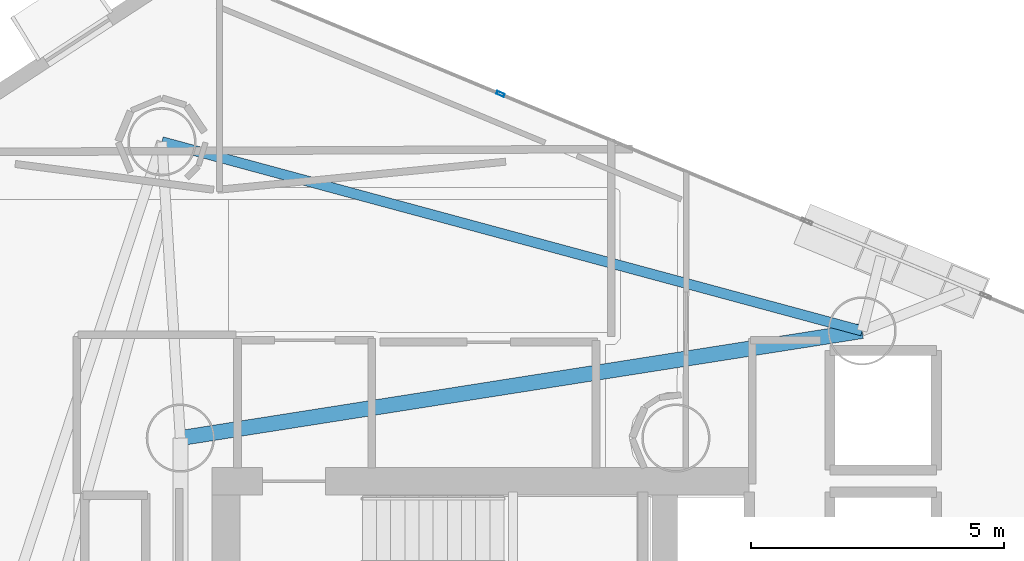
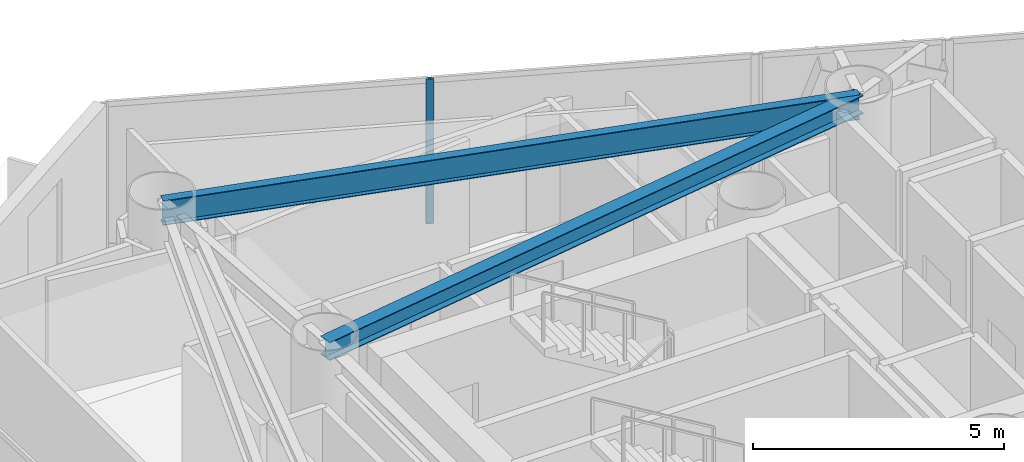
# One storey, part 12 of 22: 2 beams, 1 member, 1 element without a shape of its own.
"""IFC4 building model written with IfcOpenShell, lengths in metres."""

from ifc_helpers import new_model, si_unit, direction, frame, origin, origin_2d, place, context, subcontext, project, spatial, hollow_rectangle, i_section, extrude, material, layer, layer_set, material_profile, profile_set, type_object, element, aggregate, save


model = new_model("IFC4")

# Units and contexts
model_context = context("Model", 3, precision=1e-05, world=origin(), true_north=direction((0.0, 1.0)))
body_context = subcontext(model_context, "Body", "Model", "MODEL_VIEW")
ifc_project = project(units=[si_unit("LENGTHUNIT", "METRE"), si_unit("AREAUNIT", "SQUARE_METRE"), si_unit("VOLUMEUNIT", "CUBIC_METRE"), si_unit("PLANEANGLEUNIT", "RADIAN"), si_unit("MASSUNIT", "GRAM", prefix="KILO")], contexts=[model_context])

# Site, building, storey
site_placement = place(None, origin())
site = spatial("IfcSite", under=ifc_project, at=site_placement, CompositionType="ELEMENT")
building_placement = place(site_placement, origin())
building = spatial("IfcBuilding", under=site, at=building_placement, Name="Qianvela Tower", CompositionType="ELEMENT")
storey_placement = place(building_placement, frame((0.0, 0.0, 155.0)))
storey = spatial("IfcBuildingStorey", under=building, at=storey_placement, Name="L39", CompositionType="ELEMENT", Elevation=155.0)

# Beams
ifc_material_1 = material(Name="Steel Q355B", Category="steel")
ifc_material_profile_1 = material_profile(ifc_material_1, i_section(OverallWidth=0.300048828125, OverallDepth=0.43994140625, WebThickness=0.010986328125, FlangeThickness=0.01806640625, at=origin_2d()), Name="HM440x300x11x18")
ifc_profile_set_1 = profile_set([ifc_material_profile_1], Name="Steel Q355B")
beam_type_1 = type_object("IfcBeamType", Name="BM-HM440-COLL", PredefinedType="BEAM", material=ifc_profile_set_1)
beam_1_placement = place(storey_placement, frame((28.60009765625, 33.550048828125, 3.298095703125), z_axis=(0.98787540104, 0.155248806823, 0.0), x_axis=(-0.155248806823, 0.98787540104, 0.0)))
element("IfcBeam", 1, at=beam_1_placement, inside=storey, type_object=beam_type_1, Name="L39 Perimeter Ring Tie Girder 1B", PredefinedType="BEAM", context=body_context, shape_type="SweptSolid", body=[
    extrude(i_section(OverallWidth=0.300048828125, OverallDepth=0.43994140625, WebThickness=0.010986328125, FlangeThickness=0.01806640625, at=origin_2d()), origin(), (0.0, 0.0, 1.0), 13.6484375),
])
ifc_material_2 = material(Name="Steel Q355B", Category="steel")
ifc_material_profile_2 = material_profile(ifc_material_2, i_section(OverallWidth=0.199951171875, OverallDepth=0.60009765625, WebThickness=0.010986328125, FlangeThickness=0.01708984375, at=origin_2d()), Name="HN600x200x11x17")
ifc_profile_set_2 = profile_set([ifc_material_profile_2], Name="Steel Q355B")
beam_type_2 = type_object("IfcBeamType", Name="BM-HN600-GIRD", PredefinedType="BEAM", material=ifc_profile_set_2)
beam_2_placement = place(storey_placement, frame((42.0830078125, 35.6689453125, 3.218017578125), z_axis=(-0.965376252239, 0.260861441407, 0.0), x_axis=(-0.260861441407, -0.965376252239, 0.0)))
element("IfcBeam", 2, at=beam_2_placement, inside=storey, type_object=beam_type_2, Name="L39 Perimeter Ring Spandrel Girder 2", PredefinedType="BEAM", context=body_context, shape_type="SweptSolid", body=[
    extrude(i_section(OverallWidth=0.199951171875, OverallDepth=0.60009765625, WebThickness=0.010986328125, FlangeThickness=0.01708984375, at=origin_2d()), origin(), (0.0, 0.0, 1.0), 14.344482421875),
])

# Curtain wall, member
ifc_material_3 = material(Name="Anodised Architectural Aluminium and Low-E Glass", Category="aluminium")
ifc_layer = layer(ifc_material_3, 0.169921875)
ifc_layer_set = layer_set([ifc_layer], Name="Anodised Architectural Aluminium and Low-E Glass")
curtain_wall_type = type_object("IfcCurtainWallType", Name="CW-COLIV-Z34", PredefinedType="USERDEFINED", material=ifc_layer_set)
curtain_wall_placement = place(storey_placement, origin())
curtain_wall = element("IfcCurtainWall", 3, at=curtain_wall_placement, inside=storey, type_object=curtain_wall_type, Name="L39 CW-COLIV-Z34 Curtain Wall 02C", ObjectType="CURTAIN_WALL_SYSTEM", PredefinedType="USERDEFINED")
ifc_material_4 = material(Name="Anodised Architectural Aluminium 6063-T6", Category="aluminium")
ifc_material_profile_3 = material_profile(ifc_material_4, hollow_rectangle(XDim=0.06494140625, YDim=0.159912109375, WallThickness=0.0048828125, at=origin_2d()), Name="ALU-MULL-65x160")
ifc_profile_set_3 = profile_set([ifc_material_profile_3], Name="Anodised Architectural Aluminium 6063-T6")
member_type = type_object("IfcMemberType", Name="CW-COLIV-Z34-MULL", PredefinedType="MULLION", material=ifc_profile_set_3)
member_placement = place(storey_placement, frame((34.932373046875, 40.35498046875, 0.0), z_axis=(0.0, 0.0, 1.0), x_axis=(-0.384186698847, -0.923255425345, 0.0)))
member = element("IfcMember", 4, at=member_placement, type_object=member_type, Name="CW-4 mullion 2", PredefinedType="MULLION", context=body_context, shape_type="SweptSolid", body=[
    extrude(hollow_rectangle(XDim=0.06494140625, YDim=0.159912109375, WallThickness=0.0048828125, at=origin_2d()), origin(), (0.0, 0.0, 1.0), 3.52001953125),
])
aggregate(curtain_wall, [member])

save(model, "model.ifc")
